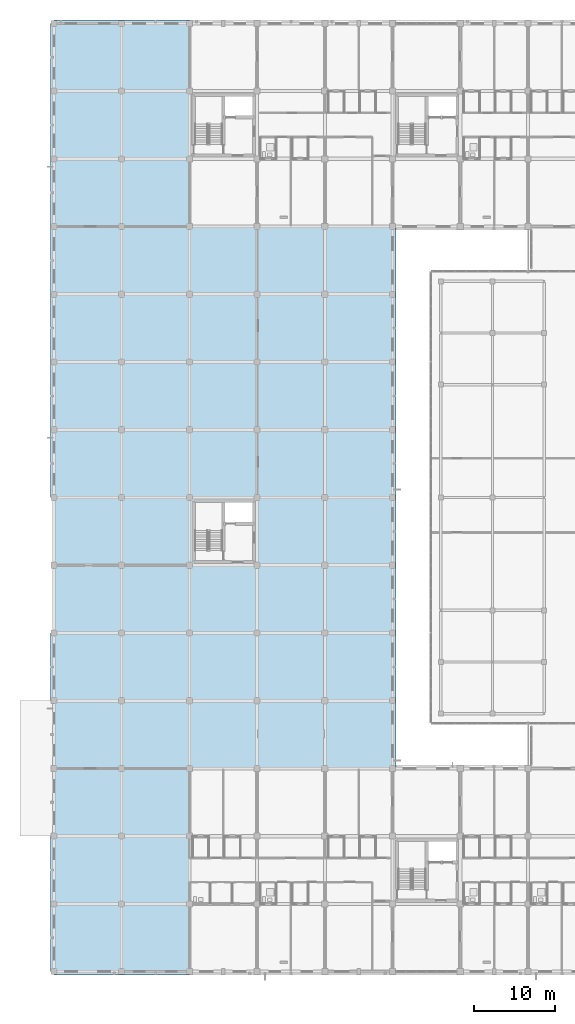
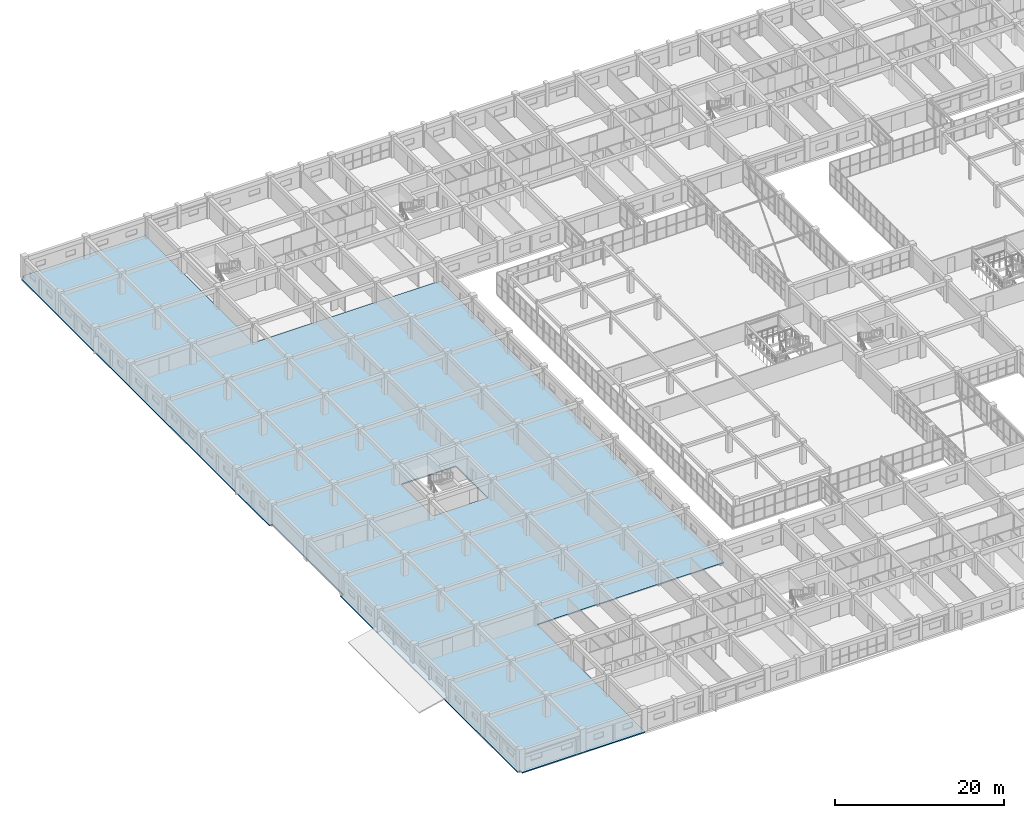
# One storey, part 146 of 200: 1 slab.
"""IFC4 building model written with IfcOpenShell, lengths in metres."""

from ifc_helpers import new_model, si_unit, direction, frame, origin, place, context, subcontext, project, spatial, polyline, outline, extrude, material, layer, layer_set, type_object, element, save


model = new_model("IFC4")

# Units and contexts
model_context = context("Model", 3, precision=1e-05, world=origin(), true_north=direction((0.0, 1.0)))
body_context = subcontext(model_context, "Body", "Model", "MODEL_VIEW")
ifc_project = project(units=[si_unit("LENGTHUNIT", "METRE"), si_unit("AREAUNIT", "SQUARE_METRE"), si_unit("VOLUMEUNIT", "CUBIC_METRE"), si_unit("PLANEANGLEUNIT", "RADIAN"), si_unit("MASSUNIT", "GRAM", prefix="KILO")], contexts=[model_context])

# Site, building, storey
site_placement = place(None, origin())
site = spatial("IfcSite", under=ifc_project, at=site_placement, CompositionType="ELEMENT")
building_placement = place(site_placement, origin())
building = spatial("IfcBuilding", under=site, at=building_placement, Name="Trelvath General Hospital", CompositionType="ELEMENT")
storey_placement = place(building_placement, frame((0.0, 0.0, 4.800048828125)))
storey = spatial("IfcBuildingStorey", under=building, at=storey_placement, Name="L01", CompositionType="ELEMENT", Elevation=4.800048828125)

# Slab
ifc_material = material(Name="Concrete C35/45", Category="concrete")
ifc_layer = layer(ifc_material, 0.159912109375)
ifc_layer_set = layer_set([ifc_layer], Name="Concrete C35/45")
slab_type = type_object("IfcSlabType", Name="InterstitialDeck 160", PredefinedType="FLOOR", material=ifc_layer_set)
slab_placement = place(storey_placement, frame((0.0, 0.0, -0.16015625)))
element("IfcSlab", 1, at=slab_placement, inside=storey, type_object=slab_type, Name="Floor Slab SL-L01-V4-D1", PredefinedType="FLOOR", context=body_context, shape_type="SweptSolid", body=[
    extrude(outline(polyline([(16.800048828125, -0.419921875), (0.0, -0.419921875), (0.0, 0.0), (-0.419921875, 0.0), (-0.419921875, 42.0), (0.0, 42.0), (0.0, 58.800048828125), (-0.419921875, 58.800048828125), (-0.419921875, 117.60009765625), (0.0, 117.60009765625), (0.0, 118.02001953125), (16.800048828125, 118.02001953125), (16.800048828125, 117.6201171875), (16.780029296875, 117.6201171875), (16.800048828125, 117.60009765625), (16.800048828125, 92.39990234375), (42.0, 92.39990234375), (42.0, 92.3798828125), (42.419921875, 92.3798828125), (42.419921875, 25.219970703125), (42.0, 25.219970703125), (42.0, 25.199951171875), (16.800048828125, 25.199951171875), (16.800048828125, 0.0), (16.780029296875, 0.0), (16.800048828125, -0.02001953125), (16.800048828125, -0.419921875)]), holes=[polyline([(17.35009765625, 50.800048828125), (24.85009765625, 50.800048828125), (24.85009765625, 58.35009765625), (17.35009765625, 58.35009765625), (17.35009765625, 50.800048828125)])]), origin(), (0.0, 0.0, 1.0), 0.16015625),
])

save(model, "model.ifc")
